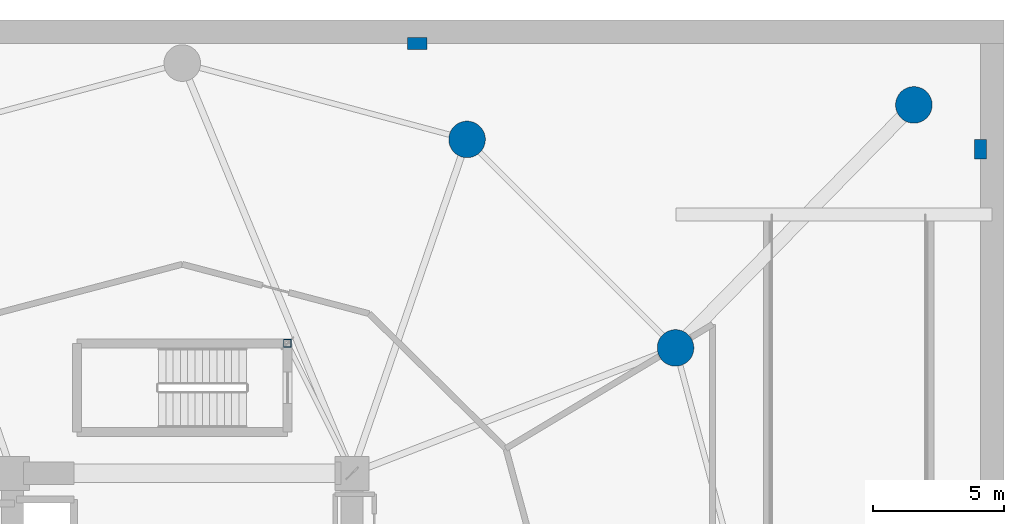
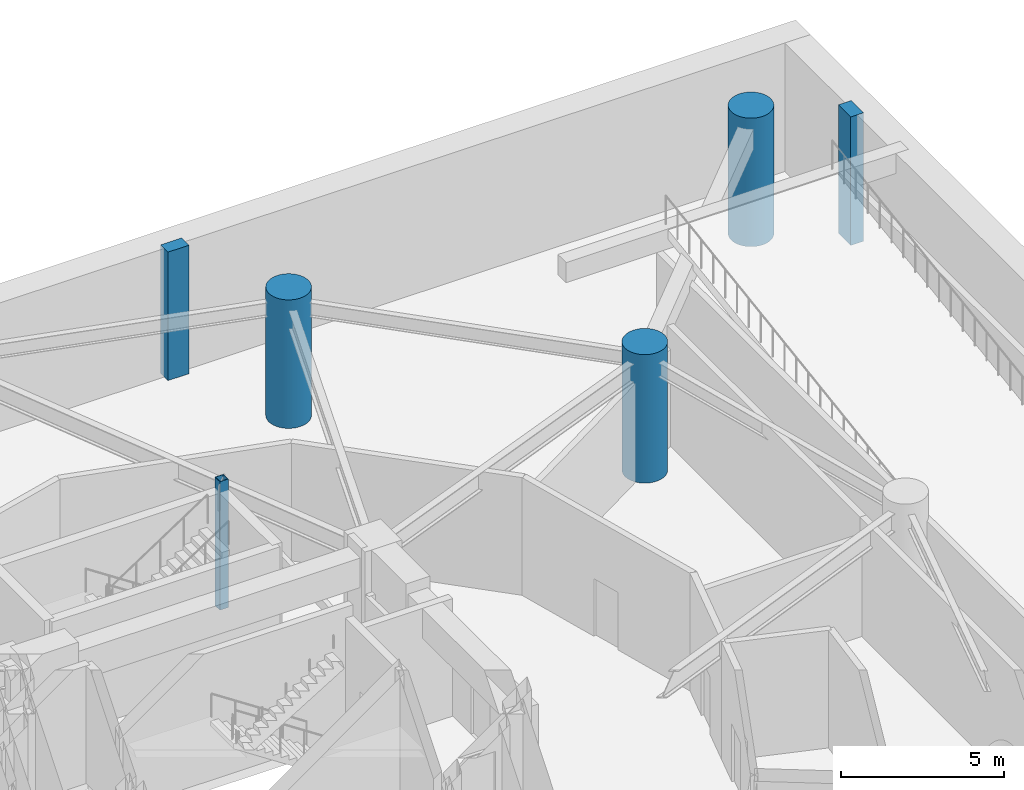
# One storey, part 3 of 10: 6 columns.
"""IFC4 building model written with IfcOpenShell, lengths in metres."""

from ifc_helpers import new_model, si_unit, direction, frame, origin, origin_2d, place, context, subcontext, project, spatial, rectangle, hollow_rectangle, circle, extrude, material, material_profile, profile_set, type_object, element, save


model = new_model("IFC4")

# Units and contexts
model_context = context("Model", 3, precision=1e-05, world=origin(), true_north=direction((0.0, 1.0)))
body_context = subcontext(model_context, "Body", "Model", "MODEL_VIEW")
ifc_project = project(units=[si_unit("LENGTHUNIT", "METRE"), si_unit("AREAUNIT", "SQUARE_METRE"), si_unit("VOLUMEUNIT", "CUBIC_METRE"), si_unit("PLANEANGLEUNIT", "RADIAN"), si_unit("MASSUNIT", "GRAM", prefix="KILO")], contexts=[model_context])

# Site, building, storey
site_placement = place(None, origin())
site = spatial("IfcSite", under=ifc_project, at=site_placement, CompositionType="ELEMENT")
building_placement = place(site_placement, origin())
building = spatial("IfcBuilding", under=site, at=building_placement, Name="Solvirekh Grand Hotel", CompositionType="ELEMENT")
storey_placement = place(building_placement, frame((0.0, 0.0, -4.800048828125)))
storey = spatial("IfcBuildingStorey", under=building, at=storey_placement, Name="B01", CompositionType="ELEMENT", Elevation=-4.800048828125)

# Columns
ifc_material_1 = material(Name="Concrete C60/75", Category="concrete")
ifc_material_profile_1 = material_profile(ifc_material_1, circle(Radius=0.699951171875, at=origin_2d()), Name="RC CIRC D1400")
ifc_profile_set_1 = profile_set([ifc_material_profile_1], Name="Concrete C60/75")
column_type_1 = type_object("IfcColumnType", Name="Col_Base_D1400", PredefinedType="COLUMN", material=ifc_profile_set_1)
for number, where, z_axis, x_axis, name in (
    (1, (18.87890625, 10.89990234375, 0.0), (0.0, 0.0, 1.0), (1.0, 0.0, 0.0), "B01 perimeter column P02"),
    (2, (10.89990234375, 18.87890625, 0.0), (0.0, 0.0, 1.0), (1.0, 0.0, 0.0), "B01 perimeter column P03"),
    (3, (28.0, 20.199951171875, 0.0), (0.0, 0.0, 1.0), (1.0, 0.0, 0.0), "B01 basement corner column BC-NE"),
):
    element("IfcColumn", number, at=place(storey_placement, frame(where, z_axis=z_axis, x_axis=x_axis)), inside=storey, type_object=column_type_1, Name=name, PredefinedType="COLUMN", context=body_context, shape_type="SweptSolid", body=[
        extrude(circle(Radius=0.699951171875, at=origin_2d()), origin(), (0.0, 0.0, 1.0), 4.800048828125),
    ])
ifc_material_2 = material(Name="Steel S355", Category="steel")
ifc_material_profile_2 = material_profile(ifc_material_2, hollow_rectangle(XDim=0.300048828125, YDim=0.300048828125, WallThickness=0.01611328125, at=origin_2d()), Name="SHS 300X300X16")
ifc_profile_set_2 = profile_set([ifc_material_profile_2], Name="Steel S355")
column_type_2 = type_object("IfcColumnType", Name="Col_Pod_SHS300", PredefinedType="COLUMN", material=ifc_profile_set_2)
column_placement = place(storey_placement, frame((4.02490234375, 11.074951171875, 0.0), z_axis=(0.0, 0.0, 1.0), x_axis=(1.0, 0.0, 0.0)))
element("IfcColumn", 4, at=column_placement, inside=storey, type_object=column_type_2, Name="B01 podium stair enclosure post 2", PredefinedType="COLUMN", context=body_context, shape_type="SweptSolid", body=[
    extrude(hollow_rectangle(XDim=0.300048828125, YDim=0.300048828125, WallThickness=0.01611328125, at=origin_2d()), origin(), (0.0, 0.0, 1.0), 4.800048828125),
])
ifc_material_3 = material(Name="Concrete C50/60", Category="concrete")
ifc_material_profile_3 = material_profile(ifc_material_3, rectangle(XDim=0.449951171875, YDim=0.75, at=origin_2d()), Name="RC PILASTER 750X450")
ifc_profile_set_3 = profile_set([ifc_material_profile_3], Name="Concrete C50/60")
column_type_3 = type_object("IfcColumnType", Name="Pilaster_750X450", PredefinedType="PILASTER", material=ifc_profile_set_3)
for number, where, z_axis, x_axis, name in (
    (5, (30.550048828125, 18.5, 0.0), (0.0, 0.0, 1.0), (1.0, 0.0, 0.0), "B01 retaining wall pilaster 5"),
    (6, (9.0, 22.550048828125, 0.0), (0.0, 0.0, 1.0), (0.0, 1.0, 0.0), "B01 retaining wall pilaster 7"),
):
    element("IfcColumn", number, at=place(storey_placement, frame(where, z_axis=z_axis, x_axis=x_axis)), inside=storey, type_object=column_type_3, Name=name, PredefinedType="PILASTER", context=body_context, shape_type="SweptSolid", body=[
        extrude(rectangle(XDim=0.449951171875, YDim=0.75, at=origin_2d()), origin(), (0.0, 0.0, 1.0), 4.800048828125),
    ])

save(model, "model.ifc")
